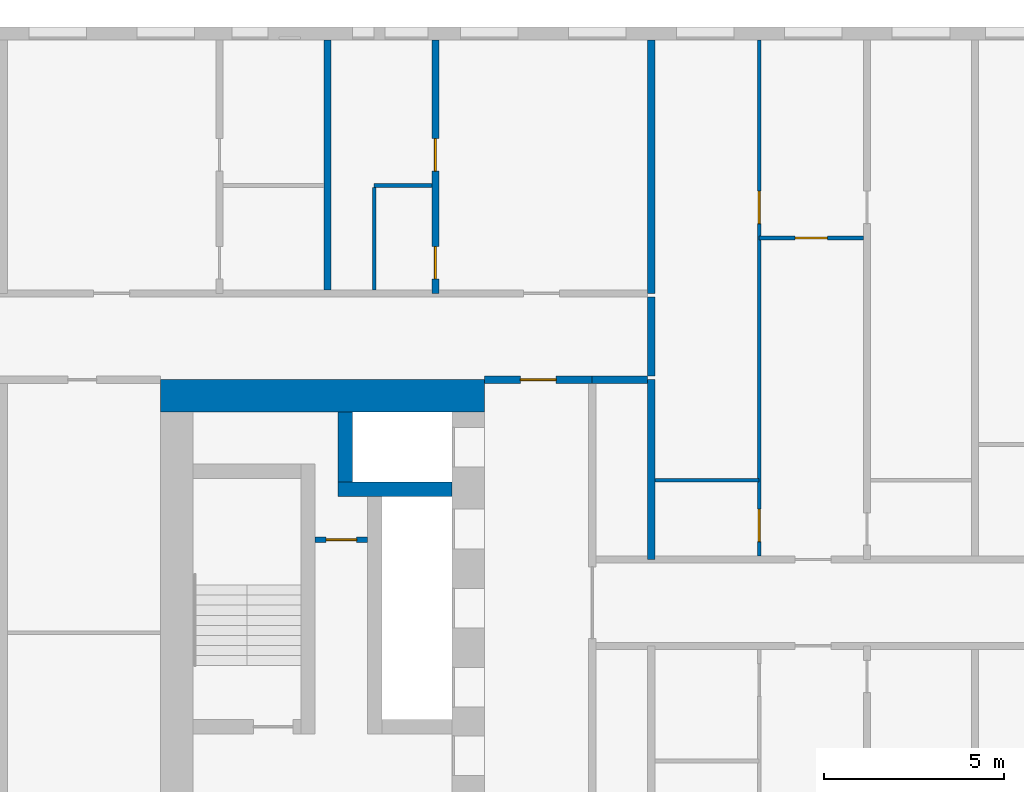
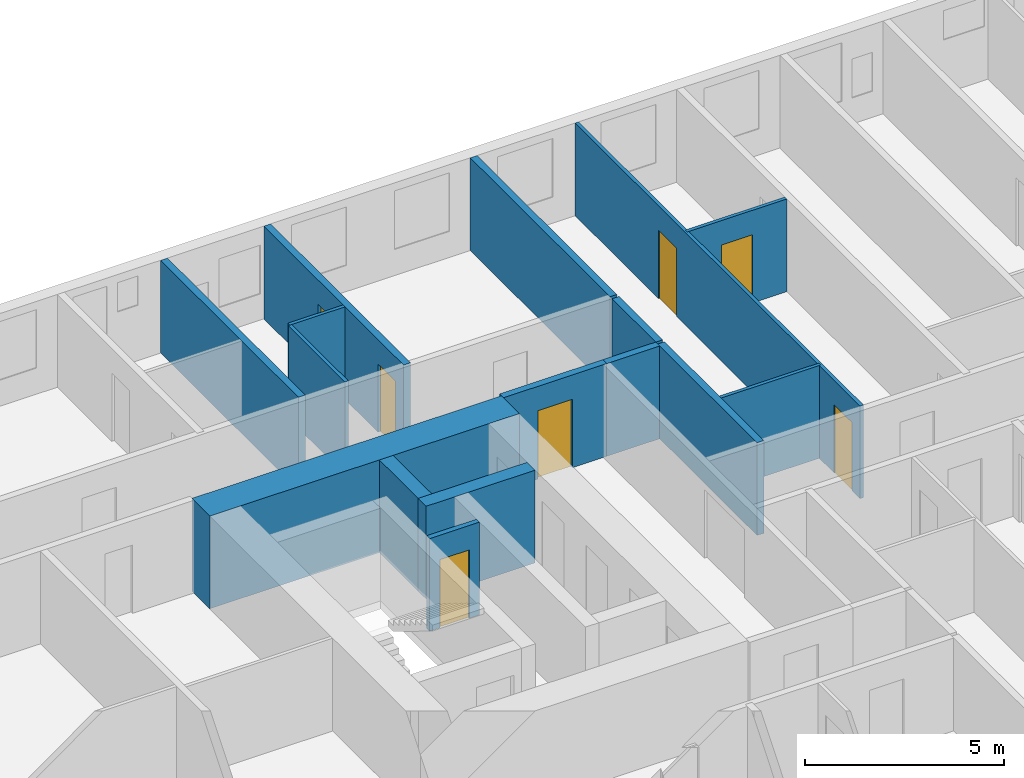
# One storey, part 5 of 17: 16 walls, 7 doors, 7 openings.
"""IFC4 building model written with IfcOpenShell, lengths in metres."""

from ifc_helpers import new_model, si_unit, direction, frame, frame_2d, origin, place, context, subcontext, project, spatial, rectangle, extrude, material, layer, layer_set, type_object, element, fill, save


model = new_model("IFC4")

# Units and contexts
model_context = context("Model", 3, precision=1e-05, world=origin(), true_north=direction((0.0, 1.0)))
body_context = subcontext(model_context, "Body", "Model", "MODEL_VIEW")
ifc_project = project(units=[si_unit("LENGTHUNIT", "METRE"), si_unit("AREAUNIT", "SQUARE_METRE"), si_unit("VOLUMEUNIT", "CUBIC_METRE"), si_unit("PLANEANGLEUNIT", "RADIAN"), si_unit("MASSUNIT", "GRAM", prefix="KILO")], contexts=[model_context])

# Site, building, storey
site_placement = place(None, origin())
site = spatial("IfcSite", under=ifc_project, at=site_placement, CompositionType="ELEMENT")
building_placement = place(site_placement, origin())
building = spatial("IfcBuilding", under=site, at=building_placement, Name="Tuart Gate Housing", CompositionType="ELEMENT")
storey_placement = place(building_placement, frame((0.0, 0.0, 28.800048828125)))
storey = spatial("IfcBuildingStorey", under=building, at=storey_placement, Name="L07", CompositionType="ELEMENT", Elevation=28.800048828125)

# Wall, opening, door
ifc_material_1 = material(Name="Plasterboard partition")
ifc_layer_1 = layer(ifc_material_1, 0.14990234375)
ifc_layer_set_1 = layer_set([ifc_layer_1], Name="Core partition 150")
wall_type_1 = type_object("IfcWallType", Name="Core partition 150", PredefinedType="PARTITIONING", material=ifc_layer_set_1)
wall_1_placement = place(storey_placement, frame((38.110107421875, 71.75, 0.0), z_axis=(0.0, 0.0, 1.0), x_axis=(-1.0, 0.0, 0.0)))
wall_1 = element("IfcWall", 1, at=wall_1_placement, inside=storey, type_object=wall_type_1, Name="Core partition AK.3", PredefinedType="PARTITIONING", context=body_context, shape_type="SweptSolid", body=[
    extrude(rectangle(XDim=1.4501953125, YDim=0.14990234375, at=frame_2d((0.72509765625, 0.0))), origin(), (0.0, 0.0, 1.0), 2.849853515625),
])
opening_1_placement = place(wall_1_placement, frame((0.300048828125, 0.0, 0.0)))
opening_1 = element("IfcOpeningElement", 2, at=opening_1_placement, cuts=wall_1, Name="Opening D493", PredefinedType="OPENING", context=body_context, shape_type="SweptSolid", body=[
    extrude(rectangle(XDim=0.85009765625, YDim=2.10009765625, at=frame_2d((0.425048828125, 1.050048828125))), frame((0.0, 0.0849609375, 0.0), z_axis=(0.0, -1.0, 0.0), x_axis=(1.0, 0.0, 0.0)), (0.0, 0.0, 1.0), 0.169921875),
])
ifc_material_2 = material(Name="Steel fire door", Category="steel")
door_type_1 = type_object("IfcDoorType", Name="Riser door 850 x 2100 RH", OperationType="SINGLE_SWING_RIGHT", PredefinedType="DOOR", material=ifc_material_2)
door_1_placement = place(opening_1_placement, frame((0.85009765625, 0.0, 0.0), z_axis=(0.0, 0.0, 1.0), x_axis=(-1.0, 0.0, 0.0)))
door_1 = element("IfcDoor", 3, at=door_1_placement, inside=storey, type_object=door_type_1, Name="Service room door AK.E1", OperationType="SINGLE_SWING_RIGHT", OverallHeight=2.10009765625, OverallWidth=0.85009765625, PredefinedType="DOOR", context=body_context, shape_type="SweptSolid", body=[
    extrude(rectangle(XDim=0.85009765625, YDim=2.10009765625, at=frame_2d((0.425048828125, 1.050048828125))), frame((0.0, 0.025146484375, 0.0), z_axis=(0.0, -1.0, 0.0), x_axis=(1.0, 0.0, 0.0)), (0.0, 0.0, 1.0), 0.050048828125),
])
fill(opening_1, door_1)

# Walls
ifc_material_3 = material(Name="Concrete C60", Category="concrete")
ifc_layer_2 = layer(ifc_material_3, 0.39990234375)
ifc_layer_set_2 = layer_set([ifc_layer_2], Name="Core wall 400 C60")
wall_type_2 = type_object("IfcWallType", Name="Core wall 400 C60", PredefinedType="SHEAR", material=ifc_layer_set_2)
wall_2_placement = place(storey_placement, frame((40.4599609375, 73.14990234375, 0.0), z_axis=(0.0, 0.0, 1.0), x_axis=(-1.0, 0.0, 0.0)))
element("IfcWall", 4, at=wall_2_placement, inside=storey, type_object=wall_type_2, Name="Core wall AK.2", PredefinedType="SHEAR", context=body_context, shape_type="SweptSolid", body=[
    extrude(rectangle(XDim=3.169921875, YDim=0.39990234375, at=frame_2d((1.5849609375, 0.0))), origin(), (0.0, 0.0, 1.0), 2.849853515625),
])
wall_3_placement = place(storey_placement, frame((37.489990234375, 75.300048828125, 0.0), z_axis=(0.0, 0.0, 1.0), x_axis=(0.0, -1.0, 0.0)))
element("IfcWall", 5, at=wall_3_placement, inside=storey, type_object=wall_type_2, Name="Core wall AK.7", PredefinedType="SHEAR", context=body_context, shape_type="SweptSolid", body=[
    extrude(rectangle(XDim=1.949951171875, YDim=0.39990234375, at=frame_2d((0.97509765625, 0.0))), origin(), (0.0, 0.0, 1.0), 2.849853515625),
])
ifc_material_4 = material(Name="Concrete C60", Category="concrete")
ifc_layer_3 = layer(ifc_material_4, 0.89990234375)
ifc_layer_set_3 = layer_set([ifc_layer_3], Name="Core wall 900 C60")
wall_type_3 = type_object("IfcWallType", Name="Core wall 900 C60", PredefinedType="SHEAR", material=ifc_layer_set_3)
wall_4_placement = place(storey_placement, frame((41.360107421875, 75.75, 0.0), z_axis=(0.0, 0.0, 1.0), x_axis=(-1.0, 0.0, 0.0)))
element("IfcWall", 6, at=wall_4_placement, inside=storey, type_object=wall_type_3, Name="Core wall AK south", PredefinedType="SHEAR", context=body_context, shape_type="SweptSolid", body=[
    extrude(rectangle(XDim=9.0, YDim=0.89990234375, at=frame_2d((4.5, 0.0))), origin(), (0.0, 0.0, 1.0), 2.849853515625),
])
ifc_material_5 = material(Name="Concrete masonry 15 MPa", Category="masonry")
ifc_layer_4 = layer(ifc_material_5, 0.199951171875)
ifc_layer_set_4 = layer_set([ifc_layer_4], Name="Corridor wall masonry 200")
wall_type_4 = type_object("IfcWallType", Name="Corridor wall masonry 200", PredefinedType="PARTITIONING", material=ifc_layer_set_4)
wall_5_placement = place(storey_placement, frame((44.360107421875, 76.199951171875, 0.0), z_axis=(0.0, 0.0, 1.0), x_axis=(1.0, 0.0, 0.0)))
element("IfcWall", 7, at=wall_5_placement, inside=storey, type_object=wall_type_4, Name="Corridor wall masonry 200", PredefinedType="PARTITIONING", context=body_context, shape_type="SweptSolid", body=[
    extrude(rectangle(XDim=1.539794921875, YDim=0.199951171875, at=frame_2d((0.77001953125, 0.0))), origin(), (0.0, 0.0, 1.0), 2.849853515625),
])
wall_6_placement = place(storey_placement, frame((46.0, 76.300048828125, 0.0), z_axis=(0.0, 0.0, 1.0), x_axis=(0.0, 1.0, 0.0)))
element("IfcWall", 8, at=wall_6_placement, inside=storey, type_object=wall_type_4, Name="Corridor wall masonry 200", PredefinedType="PARTITIONING", context=body_context, shape_type="SweptSolid", body=[
    extrude(rectangle(XDim=2.199951171875, YDim=0.199951171875, at=frame_2d((1.10009765625, 0.0))), origin(), (0.0, 0.0, 1.0), 2.849853515625),
])

# Wall, opening, door
ifc_material_6 = material(Name="Concrete masonry 15 MPa", Category="masonry")
ifc_layer_5 = layer(ifc_material_6, 0.199951171875)
ifc_layer_set_5 = layer_set([ifc_layer_5], Name="Enclosure wall masonry 200")
wall_type_5 = type_object("IfcWallType", Name="Enclosure wall masonry 200", PredefinedType="PARTITIONING", material=ifc_layer_set_5)
wall_7_placement = place(storey_placement, frame((41.360107421875, 76.199951171875, 0.0), z_axis=(0.0, 0.0, 1.0), x_axis=(1.0, 0.0, 0.0)))
wall_7 = element("IfcWall", 9, at=wall_7_placement, inside=storey, type_object=wall_type_5, Name="Enclosure wall masonry 200", PredefinedType="PARTITIONING", context=body_context, shape_type="SweptSolid", body=[
    extrude(rectangle(XDim=3.0, YDim=0.199951171875, at=frame_2d((1.5, 0.0))), origin(), (0.0, 0.0, 1.0), 2.849853515625),
])
opening_2_placement = place(wall_7_placement, frame((1.0, 0.0, 0.0)))
opening_2 = element("IfcOpeningElement", 10, at=opening_2_placement, cuts=wall_7, Name="Opening D490", PredefinedType="OPENING", context=body_context, shape_type="SweptSolid", body=[
    extrude(rectangle(XDim=1.0, YDim=2.10009765625, at=frame_2d((0.5, 1.050048828125))), frame((0.0, 0.10986328125, 0.0), z_axis=(0.0, -1.0, 0.0), x_axis=(1.0, 0.0, 0.0)), (0.0, 0.0, 1.0), 0.219970703125),
])
ifc_material_7 = material(Name="Timber door leaf in steel frame", Category="steel")
door_type_2 = type_object("IfcDoorType", Name="Fire door 1000 RH", OperationType="SINGLE_SWING_RIGHT", PredefinedType="DOOR", material=ifc_material_7)
door_2_placement = place(opening_2_placement, origin())
door_2 = element("IfcDoor", 11, at=door_2_placement, inside=storey, type_object=door_type_2, Name="Fire door", OperationType="SINGLE_SWING_RIGHT", OverallHeight=2.10009765625, OverallWidth=1.0, PredefinedType="DOOR", context=body_context, shape_type="SweptSolid", body=[
    extrude(rectangle(XDim=1.0, YDim=2.10009765625, at=frame_2d((0.5, 1.050048828125))), frame((0.0, 0.02490234375, 0.0), z_axis=(0.0, -1.0, 0.0), x_axis=(1.0, 0.0, 0.0)), (0.0, 0.0, 1.0), 0.050048828125),
])
fill(opening_2, door_2)

# Wall
ifc_material_8 = material(Name="Gypsum board on steel studs", Category="steel")
ifc_layer_6 = layer(ifc_material_8, 0.10009765625)
ifc_layer_set_6 = layer_set([ifc_layer_6], Name="Partition 100")
wall_type_6 = type_object("IfcWallType", Name="Partition 100", PredefinedType="PARTITIONING", material=ifc_layer_set_6)
wall_8_placement = place(storey_placement, frame((46.10009765625, 73.39990234375, 0.0), z_axis=(0.0, 0.0, 1.0), x_axis=(1.0, 0.0, 0.0)))
element("IfcWall", 12, at=wall_8_placement, inside=storey, type_object=wall_type_6, Name="Partition 100", PredefinedType="PARTITIONING", context=body_context, shape_type="SweptSolid", body=[
    extrude(rectangle(XDim=2.89990234375, YDim=0.10009765625, at=frame_2d((1.449951171875, 0.0))), origin(), (0.0, 0.0, 1.0), 2.849853515625),
])

# Wall, opening, door
wall_9_placement = place(storey_placement, frame((49.0, 80.139892578125, 0.0), z_axis=(0.0, 0.0, 1.0), x_axis=(1.0, 0.0, 0.0)))
wall_9 = element("IfcWall", 13, at=wall_9_placement, inside=storey, type_object=wall_type_6, Name="Partition 100", PredefinedType="PARTITIONING", context=body_context, shape_type="SweptSolid", body=[
    extrude(rectangle(XDim=2.89990234375, YDim=0.10009765625, at=frame_2d((1.449951171875, 0.0))), origin(), (0.0, 0.0, 1.0), 2.849853515625),
])
opening_3_placement = place(wall_9_placement, frame((1.0, 0.0, 0.0)))
opening_3 = element("IfcOpeningElement", 14, at=opening_3_placement, cuts=wall_9, Name="Opening D473", PredefinedType="OPENING", context=body_context, shape_type="SweptSolid", body=[
    extrude(rectangle(XDim=0.89990234375, YDim=2.10009765625, at=frame_2d((0.449951171875, 1.050048828125))), frame((0.0, 0.06005859375, 0.0), z_axis=(0.0, -1.0, 0.0), x_axis=(1.0, 0.0, 0.0)), (0.0, 0.0, 1.0), 0.1201171875),
])
ifc_material_9 = material(Name="Timber door leaf in steel frame", Category="steel")
door_type_3 = type_object("IfcDoorType", Name="Internal door 900 RH", OperationType="SINGLE_SWING_RIGHT", PredefinedType="DOOR", material=ifc_material_9)
door_3_placement = place(opening_3_placement, frame((0.89990234375, 0.0, 0.0), z_axis=(0.0, 0.0, 1.0), x_axis=(-1.0, 0.0, 0.0)))
door_3 = element("IfcDoor", 15, at=door_3_placement, inside=storey, type_object=door_type_3, Name="Internal door", OperationType="SINGLE_SWING_RIGHT", OverallHeight=2.10009765625, OverallWidth=0.89990234375, PredefinedType="DOOR", context=body_context, shape_type="SweptSolid", body=[
    extrude(rectangle(XDim=0.89990234375, YDim=2.10009765625, at=frame_2d((0.449951171875, 1.050048828125))), frame((0.0, 0.025146484375, 0.0), z_axis=(0.0, -1.0, 0.0), x_axis=(1.0, 0.0, 0.0)), (0.0, 0.0, 1.0), 0.050048828125),
])
fill(opening_3, door_3)

# Walls
wall_10_placement = place(storey_placement, frame((38.300048828125, 81.60009765625, 0.0), z_axis=(0.0, 0.0, 1.0), x_axis=(1.0, 0.0, 0.0)))
element("IfcWall", 16, at=wall_10_placement, inside=storey, type_object=wall_type_6, Name="Partition 100", PredefinedType="PARTITIONING", context=body_context, shape_type="SweptSolid", body=[
    extrude(rectangle(XDim=1.599853515625, YDim=0.10009765625, at=frame_2d((0.7998046875, 0.0))), origin(), (0.0, 0.0, 1.0), 2.849853515625),
])
wall_11_placement = place(storey_placement, frame((38.300048828125, 78.699951171875, 0.0), z_axis=(0.0, 0.0, 1.0), x_axis=(0.0, 1.0, 0.0)))
element("IfcWall", 17, at=wall_11_placement, inside=storey, type_object=wall_type_6, Name="Partition 100", PredefinedType="PARTITIONING", context=body_context, shape_type="SweptSolid", body=[
    extrude(rectangle(XDim=2.85009765625, YDim=0.10009765625, at=frame_2d((1.425048828125, 0.0))), origin(), (0.0, 0.0, 1.0), 2.849853515625),
])

# Wall, openings, doors
wall_12_placement = place(storey_placement, frame((49.0, 71.300048828125, 0.0), z_axis=(0.0, 0.0, 1.0), x_axis=(0.0, 1.0, 0.0)))
wall_12 = element("IfcWall", 18, at=wall_12_placement, inside=storey, type_object=wall_type_6, Name="Partition 100", PredefinedType="PARTITIONING", context=body_context, shape_type="SweptSolid", body=[
    extrude(rectangle(XDim=14.33984375, YDim=0.10009765625, at=frame_2d((7.169921875, 0.0))), origin(), (0.0, 0.0, 1.0), 2.849853515625),
])
opening_4_placement = place(wall_12_placement, frame((9.239990234375, 0.0, 0.0)))
opening_4 = element("IfcOpeningElement", 19, at=opening_4_placement, cuts=wall_12, Name="Opening D481", PredefinedType="OPENING", context=body_context, shape_type="SweptSolid", body=[
    extrude(rectangle(XDim=0.89990234375, YDim=2.10009765625, at=frame_2d((0.449951171875, 1.050048828125))), frame((0.0, 0.06005859375, 0.0), z_axis=(0.0, -1.0, 0.0), x_axis=(1.0, 0.0, 0.0)), (0.0, 0.0, 1.0), 0.1201171875),
])
opening_5_placement = place(wall_12_placement, frame((0.39990234375, 0.0, 0.0)))
opening_5 = element("IfcOpeningElement", 20, at=opening_5_placement, cuts=wall_12, Name="Opening D480", PredefinedType="OPENING", context=body_context, shape_type="SweptSolid", body=[
    extrude(rectangle(XDim=0.89990234375, YDim=2.10009765625, at=frame_2d((0.449951171875, 1.050048828125))), frame((0.0, 0.06005859375, 0.0), z_axis=(0.0, -1.0, 0.0), x_axis=(1.0, 0.0, 0.0)), (0.0, 0.0, 1.0), 0.1201171875),
])
ifc_material_10 = material(Name="Timber door leaf in steel frame", Category="steel")
door_type_4 = type_object("IfcDoorType", Name="Bathroom door 900", OperationType="SINGLE_SWING_LEFT", PredefinedType="DOOR", material=ifc_material_10)
door_4_placement = place(opening_5_placement, origin())
door_4 = element("IfcDoor", 21, at=door_4_placement, inside=storey, type_object=door_type_4, Name="Bathroom door", OperationType="SINGLE_SWING_LEFT", OverallHeight=2.10009765625, OverallWidth=0.89990234375, PredefinedType="DOOR", context=body_context, shape_type="SweptSolid", body=[
    extrude(rectangle(XDim=0.89990234375, YDim=2.10009765625, at=frame_2d((0.449951171875, 1.050048828125))), frame((0.0, 0.02490234375, 0.0), z_axis=(0.0, -1.0, 0.0), x_axis=(1.0, 0.0, 0.0)), (0.0, 0.0, 1.0), 0.050048828125),
])
fill(opening_5, door_4)
door_5_placement = place(opening_4_placement, origin())
door_5 = element("IfcDoor", 22, at=door_5_placement, inside=storey, type_object=door_type_3, Name="Internal door", OperationType="SINGLE_SWING_RIGHT", OverallHeight=2.10009765625, OverallWidth=0.89990234375, PredefinedType="DOOR", context=body_context, shape_type="SweptSolid", body=[
    extrude(rectangle(XDim=0.89990234375, YDim=2.10009765625, at=frame_2d((0.449951171875, 1.050048828125))), frame((0.0, 0.02490234375, 0.0), z_axis=(0.0, -1.0, 0.0), x_axis=(1.0, 0.0, 0.0)), (0.0, 0.0, 1.0), 0.050048828125),
])
fill(opening_4, door_5)

ifc_material_11 = material(Name="Concrete C40", Category="concrete")
ifc_layer_7 = layer(ifc_material_11, 0.199951171875)
ifc_layer_set_7 = layer_set([ifc_layer_7], Name="Party wall concrete C40 200")
wall_type_7 = type_object("IfcWallType", Name="Party wall concrete C40 200", PredefinedType="SOLIDWALL", material=ifc_layer_set_7)
wall_13_placement = place(storey_placement, frame((40.0, 78.60009765625, 0.0), z_axis=(0.0, 0.0, 1.0), x_axis=(0.0, 1.0, 0.0)))
wall_13 = element("IfcWall", 23, at=wall_13_placement, inside=storey, type_object=wall_type_7, Name="Party wall concrete C40 200", PredefinedType="SOLIDWALL", context=body_context, shape_type="SweptSolid", body=[
    extrude(rectangle(XDim=7.039794921875, YDim=0.199951171875, at=frame_2d((3.52001953125, 0.0))), origin(), (0.0, 0.0, 1.0), 2.849853515625),
])
opening_6_placement = place(wall_13_placement, frame((3.39990234375, 0.0, 0.0)))
opening_6 = element("IfcOpeningElement", 24, at=opening_6_placement, cuts=wall_13, Name="Opening D470", PredefinedType="OPENING", context=body_context, shape_type="SweptSolid", body=[
    extrude(rectangle(XDim=0.89990234375, YDim=2.10009765625, at=frame_2d((0.449951171875, 1.050048828125))), frame((0.0, 0.10986328125, 0.0), z_axis=(0.0, -1.0, 0.0), x_axis=(1.0, 0.0, 0.0)), (0.0, 0.0, 1.0), 0.219970703125),
])
opening_7_placement = place(wall_13_placement, frame((0.39990234375, 0.0, 0.0)))
opening_7 = element("IfcOpeningElement", 25, at=opening_7_placement, cuts=wall_13, Name="Opening D469", PredefinedType="OPENING", context=body_context, shape_type="SweptSolid", body=[
    extrude(rectangle(XDim=0.89990234375, YDim=2.10009765625, at=frame_2d((0.449951171875, 1.050048828125))), frame((0.0, 0.10986328125, 0.0), z_axis=(0.0, -1.0, 0.0), x_axis=(1.0, 0.0, 0.0)), (0.0, 0.0, 1.0), 0.219970703125),
])
door_6_placement = place(opening_7_placement, origin())
door_6 = element("IfcDoor", 26, at=door_6_placement, inside=storey, type_object=door_type_4, Name="Bathroom door", OperationType="SINGLE_SWING_LEFT", OverallHeight=2.10009765625, OverallWidth=0.89990234375, PredefinedType="DOOR", context=body_context, shape_type="SweptSolid", body=[
    extrude(rectangle(XDim=0.89990234375, YDim=2.10009765625, at=frame_2d((0.449951171875, 1.050048828125))), frame((0.0, 0.02490234375, 0.0), z_axis=(0.0, -1.0, 0.0), x_axis=(1.0, 0.0, 0.0)), (0.0, 0.0, 1.0), 0.050048828125),
])
fill(opening_7, door_6)
ifc_material_12 = material(Name="Timber door leaf in steel frame", Category="steel")
door_type_5 = type_object("IfcDoorType", Name="Internal door 900", OperationType="SINGLE_SWING_LEFT", PredefinedType="DOOR", material=ifc_material_12)
door_7_placement = place(opening_6_placement, origin())
door_7 = element("IfcDoor", 27, at=door_7_placement, inside=storey, type_object=door_type_5, Name="Internal door", OperationType="SINGLE_SWING_LEFT", OverallHeight=2.10009765625, OverallWidth=0.89990234375, PredefinedType="DOOR", context=body_context, shape_type="SweptSolid", body=[
    extrude(rectangle(XDim=0.89990234375, YDim=2.10009765625, at=frame_2d((0.449951171875, 1.050048828125))), frame((0.0, 0.02490234375, 0.0), z_axis=(0.0, -1.0, 0.0), x_axis=(1.0, 0.0, 0.0)), (0.0, 0.0, 1.0), 0.050048828125),
])
fill(opening_6, door_7)

# Walls
wall_14_placement = place(storey_placement, frame((46.0, 71.199951171875, 0.0), z_axis=(0.0, 0.0, 1.0), x_axis=(0.0, 1.0, 0.0)))
element("IfcWall", 28, at=wall_14_placement, inside=storey, type_object=wall_type_7, Name="Party wall concrete C40 200", PredefinedType="SOLIDWALL", context=body_context, shape_type="SweptSolid", body=[
    extrude(rectangle(XDim=5.0, YDim=0.199951171875, at=frame_2d((2.5, 0.0))), origin(), (0.0, 0.0, 1.0), 2.849853515625),
])
wall_15_placement = place(storey_placement, frame((46.0, 78.60009765625, 0.0), z_axis=(0.0, 0.0, 1.0), x_axis=(0.0, 1.0, 0.0)))
element("IfcWall", 29, at=wall_15_placement, inside=storey, type_object=wall_type_7, Name="Party wall concrete C40 200", PredefinedType="SOLIDWALL", context=body_context, shape_type="SweptSolid", body=[
    extrude(rectangle(XDim=7.039794921875, YDim=0.199951171875, at=frame_2d((3.52001953125, 0.0))), origin(), (0.0, 0.0, 1.0), 2.849853515625),
])
ifc_material_13 = material(Name="Concrete masonry 15 MPa", Category="masonry")
ifc_layer_8 = layer(ifc_material_13, 0.199951171875)
ifc_layer_set_8 = layer_set([ifc_layer_8], Name="Party wall masonry 200")
wall_type_8 = type_object("IfcWallType", Name="Party wall masonry 200", PredefinedType="PARTITIONING", material=ifc_layer_set_8)
wall_16_placement = place(storey_placement, frame((37.0, 78.699951171875, 0.0), z_axis=(0.0, 0.0, 1.0), x_axis=(0.0, 1.0, 0.0)))
element("IfcWall", 30, at=wall_16_placement, inside=storey, type_object=wall_type_8, Name="Party wall masonry 200", PredefinedType="PARTITIONING", context=body_context, shape_type="SweptSolid", body=[
    extrude(rectangle(XDim=6.93994140625, YDim=0.199951171875, at=frame_2d((3.469970703125, 0.0))), origin(), (0.0, 0.0, 1.0), 2.849853515625),
])

save(model, "model.ifc")
